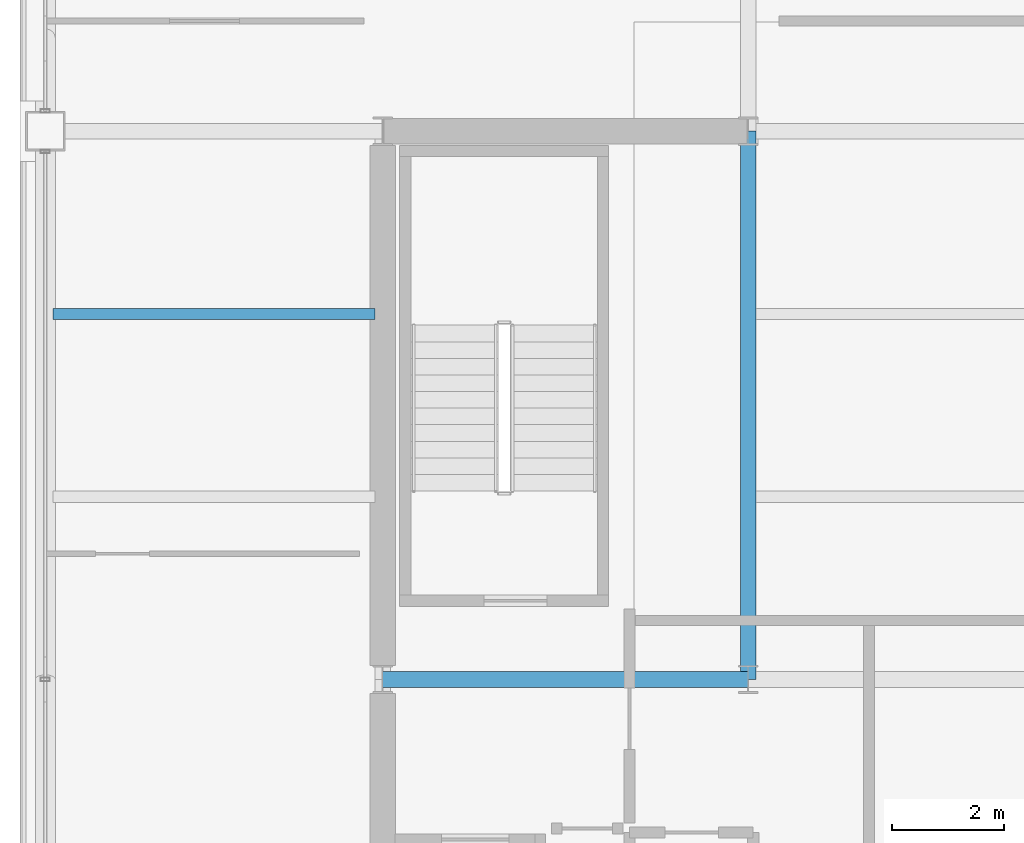
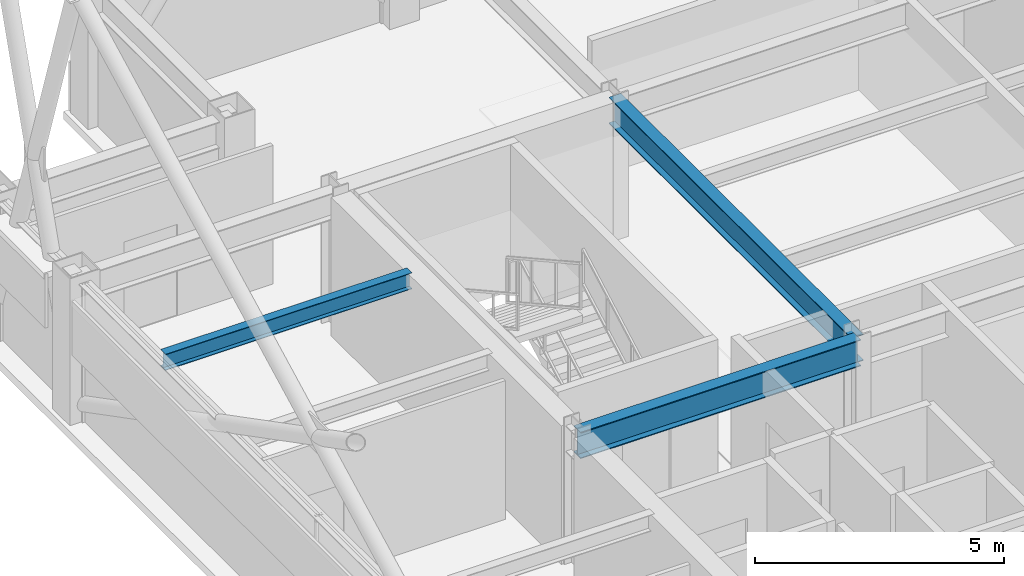
# One storey, part 11 of 33: 3 beams.
"""IFC4 building model written with IfcOpenShell, lengths in metres."""

from ifc_helpers import new_model, si_unit, direction, frame, origin, origin_2d, place, context, subcontext, project, spatial, i_section, extrude, material, material_profile, profile_set, type_object, element, save


model = new_model("IFC4")

# Units and contexts
model_context = context("Model", 3, precision=1e-05, world=origin(), true_north=direction((0.0, 1.0)))
body_context = subcontext(model_context, "Body", "Model", "MODEL_VIEW")
ifc_project = project(units=[si_unit("LENGTHUNIT", "METRE"), si_unit("AREAUNIT", "SQUARE_METRE"), si_unit("VOLUMEUNIT", "CUBIC_METRE"), si_unit("PLANEANGLEUNIT", "RADIAN"), si_unit("MASSUNIT", "GRAM", prefix="KILO")], contexts=[model_context])

# Site, building, storey
site_placement = place(None, origin())
site = spatial("IfcSite", under=ifc_project, at=site_placement, CompositionType="ELEMENT")
building_placement = place(site_placement, origin())
building = spatial("IfcBuilding", under=site, at=building_placement, Name="Brelmoor Portico Tower", CompositionType="ELEMENT")
storey_placement = place(building_placement, frame((0.0, 0.0, 183.89990234375)))
storey = spatial("IfcBuildingStorey", under=building, at=storey_placement, Name="L48", CompositionType="ELEMENT", Elevation=183.89990234375)

# Beams
ifc_material = material(Name="Steel Q355B", Category="steel")
ifc_material_profile_1 = material_profile(ifc_material, i_section(OverallWidth=0.199951171875, OverallDepth=0.39990234375, WebThickness=0.008056640625, FlangeThickness=0.012939453125, at=origin_2d()), Name="HN 400x200x8x13")
ifc_profile_set_1 = profile_set([ifc_material_profile_1], Name="Steel Q355B")
beam_type_1 = type_object("IfcBeamType", Name="BM-JS-400", PredefinedType="JOIST", material=ifc_profile_set_1)
beam_1_placement = place(storey_placement, frame((-20.409912109375, 6.5, 3.2001953125), z_axis=(1.0, 0.0, 0.0), x_axis=(0.0, 1.0, 0.0)))
element("IfcBeam", 1, at=beam_1_placement, inside=storey, type_object=beam_type_1, Name="L48 Secondary Wing Joist JS-W08", PredefinedType="JOIST", context=body_context, shape_type="SweptSolid", body=[
    extrude(i_section(OverallWidth=0.199951171875, OverallDepth=0.39990234375, WebThickness=0.008056640625, FlangeThickness=0.012939453125, at=origin_2d()), origin(), (0.0, 0.0, 1.0), 5.719970703125),
])
ifc_material_profile_2 = material_profile(ifc_material, i_section(OverallWidth=0.280029296875, OverallDepth=0.64990234375, WebThickness=0.012939453125, FlangeThickness=0.02197265625, at=origin_2d()), Name="HN 650x280x13x22")
ifc_profile_set_2 = profile_set([ifc_material_profile_2], Name="Steel Q355B")
beam_type_2 = type_object("IfcBeamType", Name="BM-PG-650", PredefinedType="BEAM", material=ifc_profile_set_2)
beam_2_placement = place(storey_placement, frame((-8.050048828125, 0.0, 3.0751953125), z_axis=(0.0, 1.0, 0.0), x_axis=(-1.0, 0.0, 0.0)))
element("IfcBeam", 2, at=beam_2_placement, inside=storey, type_object=beam_type_2, Name="L48 Primary Floor Girder PG-04", PredefinedType="BEAM", context=body_context, shape_type="SweptSolid", body=[
    extrude(i_section(OverallWidth=0.280029296875, OverallDepth=0.64990234375, WebThickness=0.012939453125, FlangeThickness=0.02197265625, at=origin_2d()), origin(), (0.0, 0.0, 1.0), 9.75),
])
beam_3_placement = place(storey_placement, frame((-14.550048828125, 0.0, 3.0751953125), z_axis=(1.0, 0.0, 0.0), x_axis=(0.0, 1.0, 0.0)))
element("IfcBeam", 3, at=beam_3_placement, inside=storey, type_object=beam_type_2, Name="L48 Primary Floor Girder PG-16", PredefinedType="BEAM", context=body_context, shape_type="SweptSolid", body=[
    extrude(i_section(OverallWidth=0.280029296875, OverallDepth=0.64990234375, WebThickness=0.012939453125, FlangeThickness=0.02197265625, at=origin_2d()), origin(), (0.0, 0.0, 1.0), 6.5),
])

save(model, "model.ifc")
